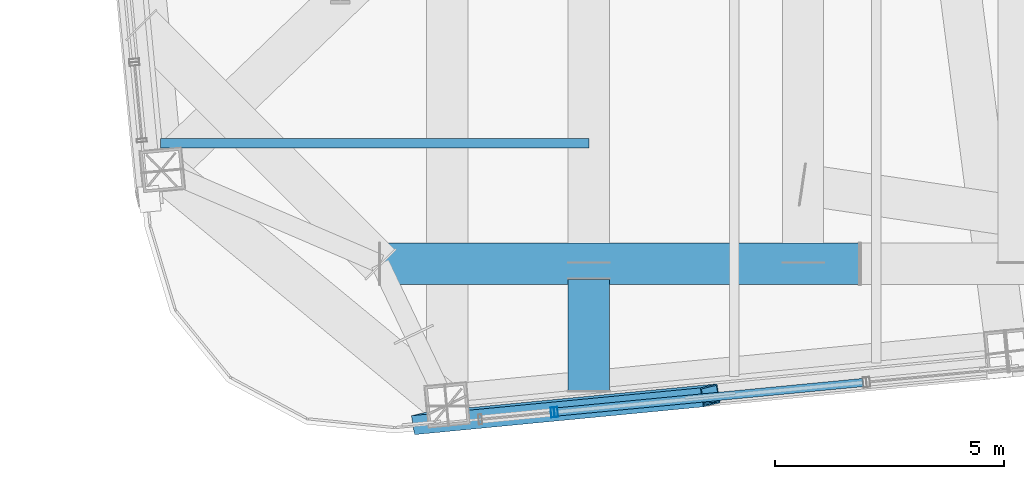
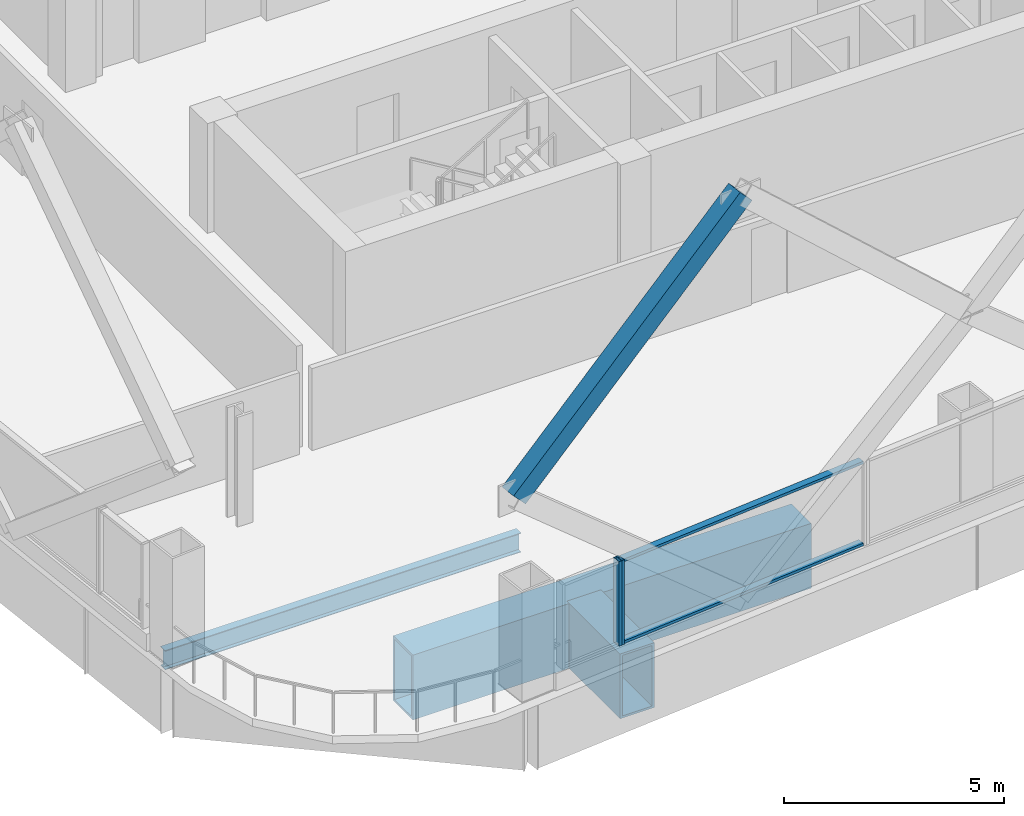
# One storey, part 3 of 42: 5 members, 3 beams, 2 elements without a shape of their own.
"""IFC4 building model written with IfcOpenShell, lengths in metres."""

from ifc_helpers import new_model, si_unit, direction, frame, origin, origin_2d, place, context, subcontext, project, spatial, hollow_rectangle, i_section, extrude, material, layer, layer_set, material_profile, profile_set, type_object, element, aggregate, save


model = new_model("IFC4")

# Units and contexts
model_context = context("Model", 3, precision=1e-05, world=origin(), true_north=direction((0.0, 1.0)))
body_context = subcontext(model_context, "Body", "Model", "MODEL_VIEW")
ifc_project = project(units=[si_unit("LENGTHUNIT", "METRE"), si_unit("AREAUNIT", "SQUARE_METRE"), si_unit("VOLUMEUNIT", "CUBIC_METRE"), si_unit("PLANEANGLEUNIT", "RADIAN"), si_unit("MASSUNIT", "GRAM", prefix="KILO")], contexts=[model_context])

# Site, building, storey
site_placement = place(None, origin())
site = spatial("IfcSite", under=ifc_project, at=site_placement, CompositionType="ELEMENT")
building_placement = place(site_placement, origin())
building = spatial("IfcBuilding", under=site, at=building_placement, Name="Qhalaya Broadcast Tower", CompositionType="ELEMENT")
storey_placement = place(building_placement, frame((0.0, 0.0, 69.449951171875)))
storey = spatial("IfcBuildingStorey", under=building, at=storey_placement, Name="L19", CompositionType="ELEMENT", Elevation=69.449951171875)

# Beams
ifc_material_1 = material(Name="Structural Steel ASTM A572 Grade 50", Category="steel")
ifc_material_profile_1 = material_profile(ifc_material_1, hollow_rectangle(XDim=0.89990234375, YDim=1.800048828125, WallThickness=0.06005859375, at=origin_2d()), Name="BOX 900x1800x60")
ifc_profile_set_1 = profile_set([ifc_material_profile_1], Name="Structural Steel ASTM A572 Grade 50")
beam_type_1 = type_object("IfcBeamType", Name="Block Cantilever Transfer Box Girder TG1", PredefinedType="USERDEFINED", material=ifc_profile_set_1)
beam_1_placement = place(storey_placement, frame((-13.929931640625, -19.1298828125, -1.119873046875), z_axis=(1.0, 0.0, 0.0), x_axis=(0.0, 1.0, 0.0)))
element("IfcBeam", 1, at=beam_1_placement, inside=storey, type_object=beam_type_1, Name="L19 TG1 L19-TGL-01", ObjectType="GIRDER", PredefinedType="USERDEFINED", context=body_context, shape_type="SweptSolid", body=[
    extrude(hollow_rectangle(XDim=0.89990234375, YDim=1.800048828125, WallThickness=0.06005859375, at=origin_2d()), origin(), (0.0, 0.0, 1.0), 10.466552734375),
])
beam_2_placement = place(storey_placement, frame((-9.375, -21.89501953125, -1.119873046875), z_axis=(0.0, 1.0, 0.0), x_axis=(-1.0, 0.0, 0.0)))
element("IfcBeam", 2, at=beam_2_placement, inside=storey, type_object=beam_type_1, Name="L19 TG1 L19-PGXS1-OV1", ObjectType="GIRDER", PredefinedType="USERDEFINED", context=body_context, shape_type="SweptSolid", body=[
    extrude(hollow_rectangle(XDim=0.89990234375, YDim=1.800048828125, WallThickness=0.06005859375, at=origin_2d()), origin(), (0.0, 0.0, 1.0), 2.425048828125),
])
ifc_material_2 = material(Name="Structural Steel ASTM A992 Grade 50", Category="steel")
ifc_material_profile_2 = material_profile(ifc_material_2, i_section(OverallWidth=0.2099609375, OverallDepth=0.535888671875, WebThickness=0.010986328125, FlangeThickness=0.017333984375, at=origin_2d()), Name="W21X68")
ifc_profile_set_2 = profile_set([ifc_material_profile_2], Name="Structural Steel ASTM A992 Grade 50")
beam_type_2 = type_object("IfcBeamType", Name="Composite Floor Joist J02", PredefinedType="JOIST", material=ifc_profile_set_2)
beam_3_placement = place(storey_placement, frame((-18.7216796875, -16.5, -0.488037109375), z_axis=(1.0, 0.0, 0.0), x_axis=(0.0, 1.0, 0.0)))
element("IfcBeam", 3, at=beam_3_placement, inside=storey, type_object=beam_type_2, Name="L19 J02 L19-JWE1W-1", PredefinedType="JOIST", context=body_context, shape_type="SweptSolid", body=[
    extrude(i_section(OverallWidth=0.2099609375, OverallDepth=0.535888671875, WebThickness=0.010986328125, FlangeThickness=0.017333984375, at=origin_2d()), origin(), (0.0, 0.0, 1.0), 9.3466796875),
])

# Member
ifc_material_profile_3 = material_profile(ifc_material_1, hollow_rectangle(XDim=0.419921875, YDim=0.550048828125, WallThickness=0.028076171875, at=origin_2d()), Name="BOX 420x550x28")
ifc_profile_set_3 = profile_set([ifc_material_profile_3], Name="Structural Steel ASTM A572 Grade 50")
member_type_1 = type_object("IfcMemberType", Name="Exoskeleton Diamond Diagonal Mid-Low EX2", PredefinedType="BRACE", material=ifc_profile_set_3)
member_1_placement = place(storey_placement, frame((-13.030029296875, -22.608642578125, 5.739990234375), z_axis=(0.730618100613, 0.070368182799, 0.6791505797), x_axis=(-0.160222099068, 0.984570800026, 0.070350683768)))
element("IfcMember", 4, at=member_1_placement, inside=storey, type_object=member_type_1, Name="B2 Exoskeleton Diamond Brace S1-D3", PredefinedType="BRACE", context=body_context, shape_type="SweptSolid", body=[
    extrude(hollow_rectangle(XDim=0.419921875, YDim=0.550048828125, WallThickness=0.028076171875, at=origin_2d()), origin(), (0.0, 0.0, 1.0), 8.628662109375),
])

# Curtain wall, member
ifc_material_3 = material(Name="Solar-Control Low-E Triple Glazing", Category="glass")
ifc_layer_1 = layer(ifc_material_3, 0.219970703125, Name="Solar-Control Low-E Triple Glazing")
ifc_layer_set_1 = layer_set([ifc_layer_1], Name="Solar-Control Low-E Triple Glazing")
curtain_wall_type_1 = type_object("IfcCurtainWallType", Name="Even-Block 4-Storey Double-Module Curtain Wall CW-03", PredefinedType="NOTDEFINED", material=ifc_layer_set_1)
curtain_wall_1_placement = place(storey_placement, origin())
curtain_wall_1 = element("IfcCurtainWall", 5, at=curtain_wall_1_placement, inside=storey, type_object=curtain_wall_type_1, Name="L19 Unitised Curtain Wall L19-CW-S1", PredefinedType="NOTDEFINED")
ifc_material_4 = material(Name="Anodised Aluminium 6063-T6", Category="aluminium")
ifc_material_profile_4 = material_profile(ifc_material_4, hollow_rectangle(XDim=0.074951171875, YDim=0.219970703125, WallThickness=0.00390625, at=origin_2d()), Name="ALU-MUL 75x220x4")
ifc_profile_set_4 = profile_set([ifc_material_profile_4], Name="Anodised Aluminium 6063-T6")
member_type_2 = type_object("IfcMemberType", Name="Unitised Curtain-Wall Mullion M01", PredefinedType="MULLION", material=ifc_profile_set_4)
member_2_placement = place(storey_placement, frame((-10.1650390625, -22.372802734375, 0.47998046875), z_axis=(0.0, 0.0, 1.0), x_axis=(0.995395680125, 0.095851134517, 0.0)))
member_2 = element("IfcMember", 6, at=member_2_placement, type_object=member_type_2, Name="CW-03 mullion 2", PredefinedType="MULLION", context=body_context, shape_type="SweptSolid", body=[
    extrude(hollow_rectangle(XDim=0.074951171875, YDim=0.219970703125, WallThickness=0.00390625, at=origin_2d()), origin(), (0.0, 0.0, 1.0), 2.35009765625),
])
aggregate(curtain_wall_1, [member_2])

# Curtain wall, members
ifc_material_5 = material(Name="Fired Architectural Terracotta", Category="masonry")
ifc_layer_2 = layer(ifc_material_5, 0.219970703125, Name="Fired Architectural Terracotta")
ifc_layer_set_2 = layer_set([ifc_layer_2], Name="Fired Architectural Terracotta")
curtain_wall_type_2 = type_object("IfcCurtainWallType", Name="Block-Cap Unitised Terracotta Spandrel Wall CW-07", PredefinedType="NOTDEFINED", material=ifc_layer_set_2)
curtain_wall_2_placement = place(storey_placement, origin())
curtain_wall_2 = element("IfcCurtainWall", 7, at=curtain_wall_2_placement, inside=storey, type_object=curtain_wall_type_2, Name="L19 Unitised Curtain Wall L19-CW-S2", PredefinedType="NOTDEFINED")
member_3_placement = place(storey_placement, frame((-10.09033203125, -22.36572265625, 0.47998046875), z_axis=(0.0, 0.0, 1.0), x_axis=(0.995395819861, 0.095849683373, 0.0)))
member_3 = element("IfcMember", 8, at=member_3_placement, type_object=member_type_2, Name="CW-07 mullion 1", PredefinedType="MULLION", context=body_context, shape_type="SweptSolid", body=[
    extrude(hollow_rectangle(XDim=0.074951171875, YDim=0.219970703125, WallThickness=0.00390625, at=origin_2d()), origin(), (0.0, 0.0, 1.0), 2.35009765625),
])
ifc_material_profile_5 = material_profile(ifc_material_4, hollow_rectangle(XDim=0.074951171875, YDim=0.179931640625, WallThickness=0.00390625, at=origin_2d()), Name="ALU-TRN 75x180x4")
ifc_profile_set_5 = profile_set([ifc_material_profile_5], Name="Anodised Aluminium 6063-T6")
member_type_3 = type_object("IfcMemberType", Name="Unitised Curtain-Wall Transom T01", PredefinedType="USERDEFINED", material=ifc_profile_set_5)
member_4_placement = place(storey_placement, frame((-10.052978515625, -22.362060546875, 0.517578125), z_axis=(0.995398061946, 0.095826396538, 0.0), x_axis=(0.0, 0.0, 1.0)))
member_4 = element("IfcMember", 9, at=member_4_placement, type_object=member_type_3, Name="CW-07 transom 1.1", ObjectType="TRANSOM", PredefinedType="USERDEFINED", context=body_context, shape_type="SweptSolid", body=[
    extrude(hollow_rectangle(XDim=0.074951171875, YDim=0.179931640625, WallThickness=0.00390625, at=origin_2d()), origin(), (0.0, 0.0, 1.0), 6.69287109375),
])
member_5_placement = place(storey_placement, frame((-10.052978515625, -22.362060546875, 2.79248046875), z_axis=(0.995398061946, 0.095826396538, 0.0), x_axis=(0.0, 0.0, 1.0)))
member_5 = element("IfcMember", 10, at=member_5_placement, type_object=member_type_3, Name="CW-07 transom 1.2", ObjectType="TRANSOM", PredefinedType="USERDEFINED", context=body_context, shape_type="SweptSolid", body=[
    extrude(hollow_rectangle(XDim=0.074951171875, YDim=0.179931640625, WallThickness=0.00390625, at=origin_2d()), origin(), (0.0, 0.0, 1.0), 6.69287109375),
])
aggregate(curtain_wall_2, [member_3, member_4, member_5])

save(model, "model.ifc")
